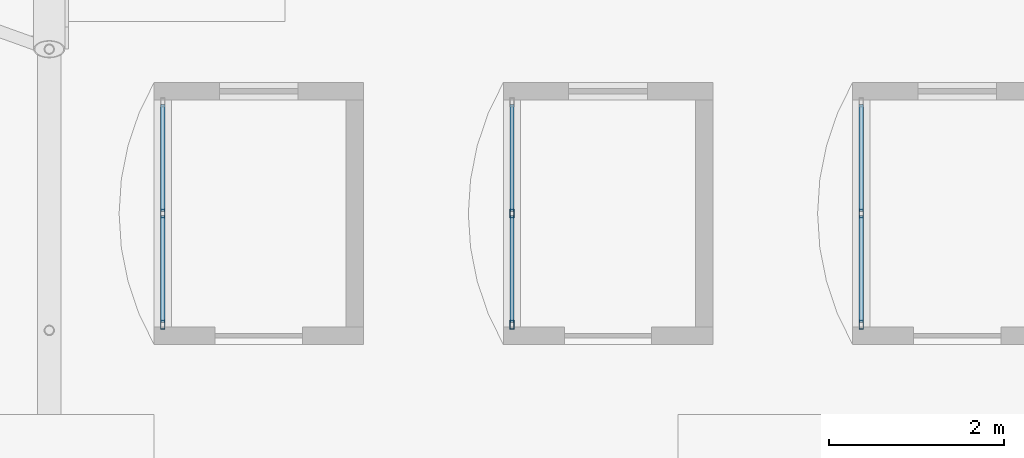
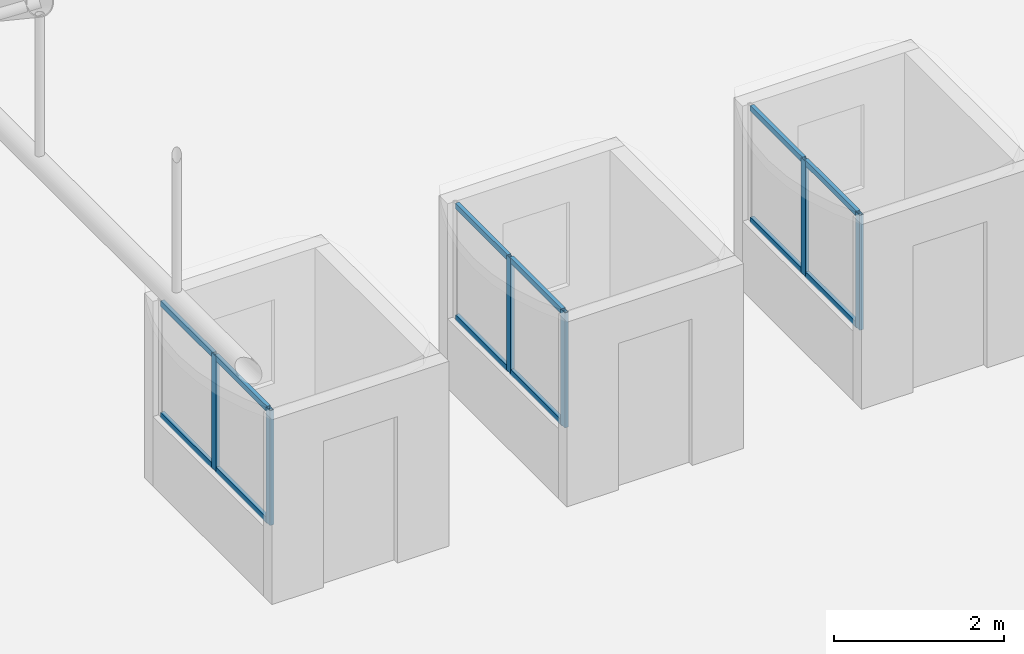
# One storey, part 80 of 212: 18 members, 3 elements without a shape of their own.
"""IFC4 building model written with IfcOpenShell, lengths in metres."""

from ifc_helpers import new_model, si_unit, direction, frame, origin, origin_2d, place, context, subcontext, project, spatial, hollow_rectangle, extrude, material, material_profile, profile_set, type_object, element, aggregate, save


model = new_model("IFC4")

# Units and contexts
model_context = context("Model", 3, precision=1e-05, world=origin(), true_north=direction((0.0, 1.0)))
body_context = subcontext(model_context, "Body", "Model", "MODEL_VIEW")
ifc_project = project(units=[si_unit("LENGTHUNIT", "METRE"), si_unit("AREAUNIT", "SQUARE_METRE"), si_unit("VOLUMEUNIT", "CUBIC_METRE"), si_unit("PLANEANGLEUNIT", "RADIAN"), si_unit("MASSUNIT", "GRAM", prefix="KILO")], contexts=[model_context])

# Site, building, storey
site_placement = place(None, origin())
site = spatial("IfcSite", under=ifc_project, at=site_placement, CompositionType="ELEMENT")
building_placement = place(site_placement, origin())
building = spatial("IfcBuilding", under=site, at=building_placement, Name="Catenary Quay Ferry Terminal", CompositionType="ELEMENT")
storey_placement = place(building_placement, origin())
storey = spatial("IfcBuildingStorey", under=building, at=storey_placement, Name="L00", CompositionType="ELEMENT", Elevation=0.0)

# Curtain wall, members
ifc_material_1 = material(Name="Aluminium and glass", Category="aluminium")
curtain_wall_type = type_object("IfcCurtainWallType", Name="CWV", PredefinedType="NOTDEFINED", material=ifc_material_1)
curtain_wall_1_placement = place(storey_placement, origin())
curtain_wall_1 = element("IfcCurtainWall", 1, at=curtain_wall_1_placement, inside=storey, type_object=curtain_wall_type, Name="Booth curtain wall CW166", PredefinedType="NOTDEFINED")
ifc_material_2 = material(Name="Aluminium", Category="aluminium")
ifc_material_profile_1 = material_profile(ifc_material_2, hollow_rectangle(XDim=0.050048828125, YDim=0.10009765625, WallThickness=0.0048828125, at=origin_2d()), Name="MU1")
ifc_profile_set_1 = profile_set([ifc_material_profile_1], Name="Aluminium")
member_type_1 = type_object("IfcMemberType", Name="MU1", PredefinedType="MULLION", material=ifc_profile_set_1)
member_1_placement = place(storey_placement, frame((102.10009765625, 44.22509765625, 1.0), z_axis=(0.0, 0.0, 1.0), x_axis=(-1.0, 0.0, 0.0)))
member_1 = element("IfcMember", 2, at=member_1_placement, type_object=member_type_1, Name="CW166 mullion 1", PredefinedType="MULLION", context=body_context, shape_type="SweptSolid", body=[
    extrude(hollow_rectangle(XDim=0.050048828125, YDim=0.10009765625, WallThickness=0.0048828125, at=origin_2d()), origin(), (0.0, 0.0, 1.0), 1.64990234375),
])
member_2_placement = place(storey_placement, frame((102.10009765625, 45.5, 1.0), z_axis=(0.0, 0.0, 1.0), x_axis=(-1.0, 0.0, 0.0)))
member_2 = element("IfcMember", 3, at=member_2_placement, type_object=member_type_1, Name="CW166 mullion 2", PredefinedType="MULLION", context=body_context, shape_type="SweptSolid", body=[
    extrude(hollow_rectangle(XDim=0.050048828125, YDim=0.10009765625, WallThickness=0.0048828125, at=origin_2d()), origin(), (0.0, 0.0, 1.0), 1.64990234375),
])

curtain_wall_2_placement = place(storey_placement, origin())
curtain_wall_2 = element("IfcCurtainWall", 4, at=curtain_wall_2_placement, inside=storey, type_object=curtain_wall_type, Name="Booth curtain wall CW167", PredefinedType="NOTDEFINED")
member_3_placement = place(storey_placement, frame((106.10009765625, 44.22509765625, 1.0), z_axis=(0.0, 0.0, 1.0), x_axis=(-1.0, 0.0, 0.0)))
member_3 = element("IfcMember", 5, at=member_3_placement, type_object=member_type_1, Name="CW167 mullion 1", PredefinedType="MULLION", context=body_context, shape_type="SweptSolid", body=[
    extrude(hollow_rectangle(XDim=0.050048828125, YDim=0.10009765625, WallThickness=0.0048828125, at=origin_2d()), origin(), (0.0, 0.0, 1.0), 1.64990234375),
])
member_4_placement = place(storey_placement, frame((106.10009765625, 45.5, 1.0), z_axis=(0.0, 0.0, 1.0), x_axis=(-1.0, 0.0, 0.0)))
member_4 = element("IfcMember", 6, at=member_4_placement, type_object=member_type_1, Name="CW167 mullion 2", PredefinedType="MULLION", context=body_context, shape_type="SweptSolid", body=[
    extrude(hollow_rectangle(XDim=0.050048828125, YDim=0.10009765625, WallThickness=0.0048828125, at=origin_2d()), origin(), (0.0, 0.0, 1.0), 1.64990234375),
])

curtain_wall_3_placement = place(storey_placement, origin())
curtain_wall_3 = element("IfcCurtainWall", 7, at=curtain_wall_3_placement, inside=storey, type_object=curtain_wall_type, Name="Booth curtain wall CW168", PredefinedType="NOTDEFINED")
member_5_placement = place(storey_placement, frame((110.10009765625, 44.22509765625, 1.0), z_axis=(0.0, 0.0, 1.0), x_axis=(-1.0, 0.0, 0.0)))
member_5 = element("IfcMember", 8, at=member_5_placement, type_object=member_type_1, Name="CW168 mullion 1", PredefinedType="MULLION", context=body_context, shape_type="SweptSolid", body=[
    extrude(hollow_rectangle(XDim=0.050048828125, YDim=0.10009765625, WallThickness=0.0048828125, at=origin_2d()), origin(), (0.0, 0.0, 1.0), 1.64990234375),
])
member_6_placement = place(storey_placement, frame((110.10009765625, 45.5, 1.0), z_axis=(0.0, 0.0, 1.0), x_axis=(-1.0, 0.0, 0.0)))
member_6 = element("IfcMember", 9, at=member_6_placement, type_object=member_type_1, Name="CW168 mullion 2", PredefinedType="MULLION", context=body_context, shape_type="SweptSolid", body=[
    extrude(hollow_rectangle(XDim=0.050048828125, YDim=0.10009765625, WallThickness=0.0048828125, at=origin_2d()), origin(), (0.0, 0.0, 1.0), 1.64990234375),
])

# Member
ifc_material_3 = material(Name="Aluminium", Category="aluminium")
ifc_material_profile_2 = material_profile(ifc_material_3, hollow_rectangle(XDim=0.050048828125, YDim=0.080078125, WallThickness=0.00390625, at=origin_2d()), Name="TR1")
ifc_profile_set_2 = profile_set([ifc_material_profile_2], Name="Aluminium")
member_type_2 = type_object("IfcMemberType", Name="TR1", PredefinedType="USERDEFINED", material=ifc_profile_set_2)
member_7_placement = place(storey_placement, frame((102.10009765625, 44.25, 1.02490234375), z_axis=(0.0, 1.0, 0.0), x_axis=(-1.0, 0.0, 0.0)))
member_7 = element("IfcMember", 10, at=member_7_placement, type_object=member_type_2, Name="CW166 transom 1.1", ObjectType="TRANSOM", PredefinedType="USERDEFINED", context=body_context, shape_type="SweptSolid", body=[
    extrude(hollow_rectangle(XDim=0.050048828125, YDim=0.080078125, WallThickness=0.00390625, at=origin_2d()), origin(), (0.0, 0.0, 1.0), 1.22509765625),
])

member_8_placement = place(storey_placement, frame((102.10009765625, 44.25, 2.625), z_axis=(0.0, 1.0, 0.0), x_axis=(-1.0, 0.0, 0.0)))
member_8 = element("IfcMember", 11, at=member_8_placement, type_object=member_type_2, Name="CW166 transom 1.2", ObjectType="TRANSOM", PredefinedType="USERDEFINED", context=body_context, shape_type="SweptSolid", body=[
    extrude(hollow_rectangle(XDim=0.050048828125, YDim=0.080078125, WallThickness=0.00390625, at=origin_2d()), origin(), (0.0, 0.0, 1.0), 1.22509765625),
])

member_9_placement = place(storey_placement, frame((102.10009765625, 45.52490234375, 1.02490234375), z_axis=(0.0, 1.0, 0.0), x_axis=(-1.0, 0.0, 0.0)))
member_9 = element("IfcMember", 12, at=member_9_placement, type_object=member_type_2, Name="CW166 transom 2.1", ObjectType="TRANSOM", PredefinedType="USERDEFINED", context=body_context, shape_type="SweptSolid", body=[
    extrude(hollow_rectangle(XDim=0.050048828125, YDim=0.080078125, WallThickness=0.00390625, at=origin_2d()), origin(), (0.0, 0.0, 1.0), 1.22509765625),
])

member_10_placement = place(storey_placement, frame((102.10009765625, 45.52490234375, 2.625), z_axis=(0.0, 1.0, 0.0), x_axis=(-1.0, 0.0, 0.0)))
member_10 = element("IfcMember", 13, at=member_10_placement, type_object=member_type_2, Name="CW166 transom 2.2", ObjectType="TRANSOM", PredefinedType="USERDEFINED", context=body_context, shape_type="SweptSolid", body=[
    extrude(hollow_rectangle(XDim=0.050048828125, YDim=0.080078125, WallThickness=0.00390625, at=origin_2d()), origin(), (0.0, 0.0, 1.0), 1.22509765625),
])

aggregate(curtain_wall_1, [member_1, member_2, member_7, member_8, member_9, member_10])

member_11_placement = place(storey_placement, frame((106.10009765625, 44.25, 1.02490234375), z_axis=(0.0, 1.0, 0.0), x_axis=(-1.0, 0.0, 0.0)))
member_11 = element("IfcMember", 14, at=member_11_placement, type_object=member_type_2, Name="CW167 transom 1.1", ObjectType="TRANSOM", PredefinedType="USERDEFINED", context=body_context, shape_type="SweptSolid", body=[
    extrude(hollow_rectangle(XDim=0.050048828125, YDim=0.080078125, WallThickness=0.00390625, at=origin_2d()), origin(), (0.0, 0.0, 1.0), 1.22509765625),
])

member_12_placement = place(storey_placement, frame((106.10009765625, 44.25, 2.625), z_axis=(0.0, 1.0, 0.0), x_axis=(-1.0, 0.0, 0.0)))
member_12 = element("IfcMember", 15, at=member_12_placement, type_object=member_type_2, Name="CW167 transom 1.2", ObjectType="TRANSOM", PredefinedType="USERDEFINED", context=body_context, shape_type="SweptSolid", body=[
    extrude(hollow_rectangle(XDim=0.050048828125, YDim=0.080078125, WallThickness=0.00390625, at=origin_2d()), origin(), (0.0, 0.0, 1.0), 1.22509765625),
])

member_13_placement = place(storey_placement, frame((106.10009765625, 45.52490234375, 1.02490234375), z_axis=(0.0, 1.0, 0.0), x_axis=(-1.0, 0.0, 0.0)))
member_13 = element("IfcMember", 16, at=member_13_placement, type_object=member_type_2, Name="CW167 transom 2.1", ObjectType="TRANSOM", PredefinedType="USERDEFINED", context=body_context, shape_type="SweptSolid", body=[
    extrude(hollow_rectangle(XDim=0.050048828125, YDim=0.080078125, WallThickness=0.00390625, at=origin_2d()), origin(), (0.0, 0.0, 1.0), 1.22509765625),
])

member_14_placement = place(storey_placement, frame((106.10009765625, 45.52490234375, 2.625), z_axis=(0.0, 1.0, 0.0), x_axis=(-1.0, 0.0, 0.0)))
member_14 = element("IfcMember", 17, at=member_14_placement, type_object=member_type_2, Name="CW167 transom 2.2", ObjectType="TRANSOM", PredefinedType="USERDEFINED", context=body_context, shape_type="SweptSolid", body=[
    extrude(hollow_rectangle(XDim=0.050048828125, YDim=0.080078125, WallThickness=0.00390625, at=origin_2d()), origin(), (0.0, 0.0, 1.0), 1.22509765625),
])

aggregate(curtain_wall_2, [member_3, member_4, member_11, member_12, member_13, member_14])

member_15_placement = place(storey_placement, frame((110.10009765625, 44.25, 1.02490234375), z_axis=(0.0, 1.0, 0.0), x_axis=(-1.0, 0.0, 0.0)))
member_15 = element("IfcMember", 18, at=member_15_placement, type_object=member_type_2, Name="CW168 transom 1.1", ObjectType="TRANSOM", PredefinedType="USERDEFINED", context=body_context, shape_type="SweptSolid", body=[
    extrude(hollow_rectangle(XDim=0.050048828125, YDim=0.080078125, WallThickness=0.00390625, at=origin_2d()), origin(), (0.0, 0.0, 1.0), 1.22509765625),
])

member_16_placement = place(storey_placement, frame((110.10009765625, 44.25, 2.625), z_axis=(0.0, 1.0, 0.0), x_axis=(-1.0, 0.0, 0.0)))
member_16 = element("IfcMember", 19, at=member_16_placement, type_object=member_type_2, Name="CW168 transom 1.2", ObjectType="TRANSOM", PredefinedType="USERDEFINED", context=body_context, shape_type="SweptSolid", body=[
    extrude(hollow_rectangle(XDim=0.050048828125, YDim=0.080078125, WallThickness=0.00390625, at=origin_2d()), origin(), (0.0, 0.0, 1.0), 1.22509765625),
])

member_17_placement = place(storey_placement, frame((110.10009765625, 45.52490234375, 1.02490234375), z_axis=(0.0, 1.0, 0.0), x_axis=(-1.0, 0.0, 0.0)))
member_17 = element("IfcMember", 20, at=member_17_placement, type_object=member_type_2, Name="CW168 transom 2.1", ObjectType="TRANSOM", PredefinedType="USERDEFINED", context=body_context, shape_type="SweptSolid", body=[
    extrude(hollow_rectangle(XDim=0.050048828125, YDim=0.080078125, WallThickness=0.00390625, at=origin_2d()), origin(), (0.0, 0.0, 1.0), 1.22509765625),
])

member_18_placement = place(storey_placement, frame((110.10009765625, 45.52490234375, 2.625), z_axis=(0.0, 1.0, 0.0), x_axis=(-1.0, 0.0, 0.0)))
member_18 = element("IfcMember", 21, at=member_18_placement, type_object=member_type_2, Name="CW168 transom 2.2", ObjectType="TRANSOM", PredefinedType="USERDEFINED", context=body_context, shape_type="SweptSolid", body=[
    extrude(hollow_rectangle(XDim=0.050048828125, YDim=0.080078125, WallThickness=0.00390625, at=origin_2d()), origin(), (0.0, 0.0, 1.0), 1.22509765625),
])

aggregate(curtain_wall_3, [member_5, member_6, member_15, member_16, member_17, member_18])

save(model, "model.ifc")
